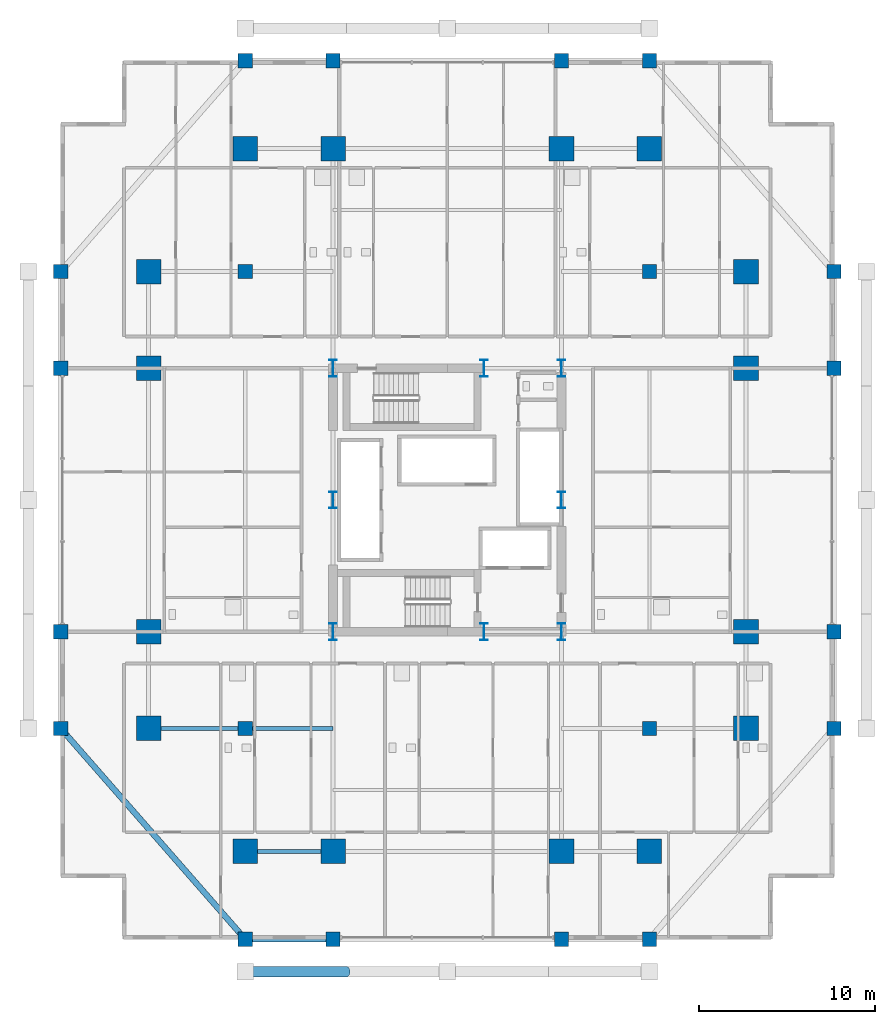
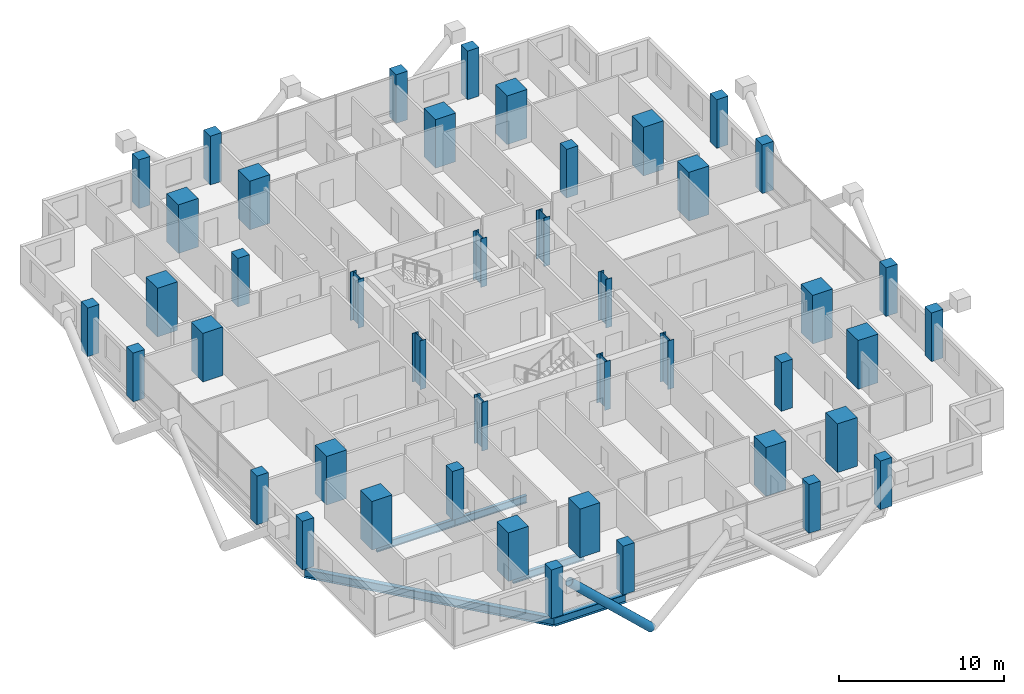
# One storey, part 1 of 24: 44 columns, 5 beams, 1 member.
"""IFC4 building model written with IfcOpenShell, lengths in metres."""

from ifc_helpers import new_model, si_unit, direction, frame, origin, origin_2d, place, context, subcontext, project, spatial, rectangle, hollow_circle, i_section, extrude, material, material_profile, profile_set, type_object, element, save


model = new_model("IFC4")

# Units and contexts
model_context = context("Model", 3, precision=1e-05, world=origin(), true_north=direction((0.0, 1.0)))
body_context = subcontext(model_context, "Body", "Model", "MODEL_VIEW")
ifc_project = project(units=[si_unit("LENGTHUNIT", "METRE"), si_unit("AREAUNIT", "SQUARE_METRE"), si_unit("VOLUMEUNIT", "CUBIC_METRE"), si_unit("PLANEANGLEUNIT", "RADIAN"), si_unit("MASSUNIT", "GRAM", prefix="KILO")], contexts=[model_context])

# Site, building, storey
site_placement = place(None, origin())
site = spatial("IfcSite", under=ifc_project, at=site_placement, CompositionType="ELEMENT")
building_placement = place(site_placement, origin())
building = spatial("IfcBuilding", under=site, at=building_placement, Name="Barlavira Tower and Art Museum", CompositionType="ELEMENT")
storey_placement = place(building_placement, frame((0.0, 0.0, 46.800048828125)))
storey = spatial("IfcBuildingStorey", under=building, at=storey_placement, Name="L10", CompositionType="ELEMENT", Elevation=46.800048828125)

# Columns
ifc_material_1 = material(Name="Steel S355", Category="steel")
ifc_material_profile_1 = material_profile(ifc_material_1, i_section(OverallWidth=0.419921875, OverallDepth=0.9599609375, WebThickness=0.02197265625, FlangeThickness=0.033935546875, at=origin_2d()), Name="W920x387.0")
ifc_profile_set_1 = profile_set([ifc_material_profile_1], Name="Steel S355")
column_type_1 = type_object("IfcColumnType", Name="Core Composite Column W920x387 Steel S355", PredefinedType="COLUMN", material=ifc_profile_set_1)
for number, where, z_axis, x_axis, name in (
    (1, (-6.5, -7.5, 0.0), (0.0, 0.0, 1.0), (1.0, 0.0, 0.0), "L10 Column CC-L10-C1"),
    (2, (2.080078125, -7.5, 0.0), (0.0, 0.0, 1.0), (1.0, 0.0, 0.0), "L10 Column CC-L10-C2"),
    (3, (6.5, -7.5, 0.0), (0.0, 0.0, 1.0), (1.0, 0.0, 0.0), "L10 Column CC-L10-C3"),
    (4, (-6.5, 0.0, 0.0), (0.0, 0.0, 1.0), (1.0, 0.0, 0.0), "L10 Column CC-L10-C4"),
    (5, (6.5, 0.0, 0.0), (0.0, 0.0, 1.0), (1.0, 0.0, 0.0), "L10 Column CC-L10-C5"),
    (6, (-6.5, 7.5, 0.0), (0.0, 0.0, 1.0), (1.0, 0.0, 0.0), "L10 Column CC-L10-C6"),
    (7, (2.080078125, 7.5, 0.0), (0.0, 0.0, 1.0), (1.0, 0.0, 0.0), "L10 Column CC-L10-C7"),
    (8, (6.5, 7.5, 0.0), (0.0, 0.0, 1.0), (1.0, 0.0, 0.0), "L10 Column CC-L10-C8"),
):
    element("IfcColumn", number, at=place(storey_placement, frame(where, z_axis=z_axis, x_axis=x_axis)), inside=storey, type_object=column_type_1, Name=name, PredefinedType="COLUMN", context=body_context, shape_type="SweptSolid", body=[
        extrude(i_section(OverallWidth=0.419921875, OverallDepth=0.9599609375, WebThickness=0.02197265625, FlangeThickness=0.033935546875, at=origin_2d()), origin(), (0.0, 0.0, 1.0), 3.599853515625),
    ])
ifc_material_2 = material(Name="Concrete C60", Category="concrete")
ifc_material_profile_2 = material_profile(ifc_material_2, rectangle(XDim=1.39990234375, YDim=1.39990234375, at=origin_2d()), Name="RC-MCOL 1400x1400")
ifc_profile_set_2 = profile_set([ifc_material_profile_2], Name="Concrete C60")
column_type_2 = type_object("IfcColumnType", Name="Perimeter Mega Column 1400x1400 Concrete C60", PredefinedType="USERDEFINED", material=ifc_profile_set_2)
for number, where, z_axis, x_axis, name in (
    (9, (-11.5, -20.0, 0.0), (0.0, 0.0, 1.0), (1.0, 0.0, 0.0), "L10 Column MC-L10-M01"),
    (10, (-6.5, -20.0, 0.0), (0.0, 0.0, 1.0), (1.0, 0.0, 0.0), "L10 Column MC-L10-M02"),
    (11, (6.5, -20.0, 0.0), (0.0, 0.0, 1.0), (1.0, 0.0, 0.0), "L10 Column MC-L10-M03"),
    (12, (11.5, -20.0, 0.0), (0.0, 0.0, 1.0), (1.0, 0.0, 0.0), "L10 Column MC-L10-M04"),
    (13, (17.0, -13.0, 0.0), (0.0, 0.0, 1.0), (1.0, 0.0, 0.0), "L10 Column MC-L10-M05"),
    (14, (17.0, -7.5, 0.0), (0.0, 0.0, 1.0), (1.0, 0.0, 0.0), "L10 Column MC-L10-M06"),
    (15, (17.0, 7.5, 0.0), (0.0, 0.0, 1.0), (1.0, 0.0, 0.0), "L10 Column MC-L10-M07"),
    (16, (17.0, 13.0, 0.0), (0.0, 0.0, 1.0), (1.0, 0.0, 0.0), "L10 Column MC-L10-M08"),
    (17, (11.5, 20.0, 0.0), (0.0, 0.0, 1.0), (1.0, 0.0, 0.0), "L10 Column MC-L10-M09"),
    (18, (6.5, 20.0, 0.0), (0.0, 0.0, 1.0), (1.0, 0.0, 0.0), "L10 Column MC-L10-M10"),
    (19, (-6.5, 20.0, 0.0), (0.0, 0.0, 1.0), (1.0, 0.0, 0.0), "L10 Column MC-L10-M11"),
    (20, (-11.5, 20.0, 0.0), (0.0, 0.0, 1.0), (1.0, 0.0, 0.0), "L10 Column MC-L10-M12"),
    (21, (-17.0, 13.0, 0.0), (0.0, 0.0, 1.0), (1.0, 0.0, 0.0), "L10 Column MC-L10-M13"),
    (22, (-17.0, 7.5, 0.0), (0.0, 0.0, 1.0), (1.0, 0.0, 0.0), "L10 Column MC-L10-M14"),
    (23, (-17.0, -7.5, 0.0), (0.0, 0.0, 1.0), (1.0, 0.0, 0.0), "L10 Column MC-L10-M15"),
    (24, (-17.0, -13.0, 0.0), (0.0, 0.0, 1.0), (1.0, 0.0, 0.0), "L10 Column MC-L10-M16"),
):
    element("IfcColumn", number, at=place(storey_placement, frame(where, z_axis=z_axis, x_axis=x_axis)), inside=storey, type_object=column_type_2, Name=name, ObjectType="MEGA COLUMN", PredefinedType="USERDEFINED", context=body_context, shape_type="SweptSolid", body=[
        extrude(rectangle(XDim=1.39990234375, YDim=1.39990234375, at=origin_2d()), origin(), (0.0, 0.0, 1.0), 3.599853515625),
    ])
ifc_material_3 = material(Name="Concrete C50", Category="concrete")
ifc_material_profile_3 = material_profile(ifc_material_3, rectangle(XDim=0.800048828125, YDim=0.800048828125, at=origin_2d()), Name="RC-COL 800x800")
ifc_profile_set_3 = profile_set([ifc_material_profile_3], Name="Concrete C50")
column_type_3 = type_object("IfcColumnType", Name="Podium Frame Column 800x800 Concrete C50", PredefinedType="COLUMN", material=ifc_profile_set_3)
for number, where, z_axis, x_axis, name in (
    (25, (-11.5, -13.0, 0.0), (0.0, 0.0, 1.0), (1.0, 0.0, 0.0), "L10 Column CI-L10-I1"),
    (26, (11.5, -13.0, 0.0), (0.0, 0.0, 1.0), (1.0, 0.0, 0.0), "L10 Column CI-L10-I2"),
    (27, (-11.5, 13.0, 0.0), (0.0, 0.0, 1.0), (1.0, 0.0, 0.0), "L10 Column CI-L10-I3"),
    (28, (11.5, 13.0, 0.0), (0.0, 0.0, 1.0), (1.0, 0.0, 0.0), "L10 Column CI-L10-I4"),
    (29, (-11.5, -25.0, 0.0), (0.0, 0.0, 1.0), (1.0, 0.0, 0.0), "L10 Column CZ1-L10-N01"),
    (30, (-6.5, -25.0, 0.0), (0.0, 0.0, 1.0), (1.0, 0.0, 0.0), "L10 Column CZ1-L10-N02"),
    (31, (6.5, -25.0, 0.0), (0.0, 0.0, 1.0), (1.0, 0.0, 0.0), "L10 Column CZ1-L10-N02B"),
    (32, (11.5, -25.0, 0.0), (0.0, 0.0, 1.0), (1.0, 0.0, 0.0), "L10 Column CZ1-L10-N03"),
    (33, (-22.0, -13.0, 0.0), (0.0, 0.0, 1.0), (1.0, 0.0, 0.0), "L10 Column CZ1-L10-N04"),
    (34, (-22.0, -7.5, 0.0), (0.0, 0.0, 1.0), (1.0, 0.0, 0.0), "L10 Column CZ1-L10-N05"),
    (35, (-22.0, 7.5, 0.0), (0.0, 0.0, 1.0), (1.0, 0.0, 0.0), "L10 Column CZ1-L10-N05B"),
    (36, (-22.0, 13.0, 0.0), (0.0, 0.0, 1.0), (1.0, 0.0, 0.0), "L10 Column CZ1-L10-N06"),
    (37, (-11.5, 25.0, 0.0), (0.0, 0.0, 1.0), (1.0, 0.0, 0.0), "L10 Column CZ1-L10-N07"),
    (38, (-6.5, 25.0, 0.0), (0.0, 0.0, 1.0), (1.0, 0.0, 0.0), "L10 Column CZ1-L10-N08"),
    (39, (6.5, 25.0, 0.0), (0.0, 0.0, 1.0), (1.0, 0.0, 0.0), "L10 Column CZ1-L10-N08B"),
    (40, (11.5, 25.0, 0.0), (0.0, 0.0, 1.0), (1.0, 0.0, 0.0), "L10 Column CZ1-L10-N09"),
    (41, (22.0, -13.0, 0.0), (0.0, 0.0, 1.0), (1.0, 0.0, 0.0), "L10 Column CZ1-L10-N10"),
    (42, (22.0, -7.5, 0.0), (0.0, 0.0, 1.0), (1.0, 0.0, 0.0), "L10 Column CZ1-L10-N11"),
    (43, (22.0, 7.5, 0.0), (0.0, 0.0, 1.0), (1.0, 0.0, 0.0), "L10 Column CZ1-L10-N11B"),
    (44, (22.0, 13.0, 0.0), (0.0, 0.0, 1.0), (1.0, 0.0, 0.0), "L10 Column CZ1-L10-N12"),
):
    element("IfcColumn", number, at=place(storey_placement, frame(where, z_axis=z_axis, x_axis=x_axis)), inside=storey, type_object=column_type_3, Name=name, PredefinedType="COLUMN", context=body_context, shape_type="SweptSolid", body=[
        extrude(rectangle(XDim=0.800048828125, YDim=0.800048828125, at=origin_2d()), origin(), (0.0, 0.0, 1.0), 3.599853515625),
    ])

# Member
ifc_material_profile_4 = material_profile(ifc_material_1, hollow_circle(Radius=0.304931640625, WallThickness=0.028076171875, at=origin_2d()), Name="CHS 610.0x28.0")
ifc_profile_set_4 = profile_set([ifc_material_profile_4], Name="Steel S355")
member_type = type_object("IfcMemberType", Name="Pale-Metal Exoskeleton Diagrid Tube CHS 610x28 Steel S355", PredefinedType="BRACE", material=ifc_profile_set_4)
member_placement = place(storey_placement, frame((-5.75, -26.85009765625, -1.920166015625), z_axis=(-0.728934650808, 0.0, 0.684583285548), x_axis=(0.0, -1.0, 0.0)))
element("IfcMember", 45, at=member_placement, inside=storey, type_object=member_type, Name="L10 Exoskeleton Diagrid Tube S", PredefinedType="BRACE", context=body_context, shape_type="SweptSolid", body=[
    extrude(hollow_circle(Radius=0.304931640625, WallThickness=0.028076171875, at=origin_2d()), origin(), (0.0, 0.0, 1.0), 7.88818359375),
])

# Beams
ifc_material_profile_5 = material_profile(ifc_material_1, i_section(OverallWidth=0.327880859375, OverallDepth=0.62890625, WebThickness=0.013916015625, FlangeThickness=0.021484375, at=origin_2d()), Name="W610x174.0")
ifc_profile_set_5 = profile_set([ifc_material_profile_5], Name="Steel S355")
beam_type_1 = type_object("IfcBeamType", Name="Perimeter Spandrel Edge Beam W610x174 Steel S355", PredefinedType="SPANDREL", material=ifc_profile_set_5)
beam_1_placement = place(storey_placement, frame((-11.5, -25.0, -0.53466796875), z_axis=(1.0, 0.0, 0.0), x_axis=(0.0, 1.0, 0.0)))
element("IfcBeam", 46, at=beam_1_placement, inside=storey, type_object=beam_type_1, Name="L10 Spandrel 1", PredefinedType="SPANDREL", context=body_context, shape_type="SweptSolid", body=[
    extrude(i_section(OverallWidth=0.327880859375, OverallDepth=0.62890625, WebThickness=0.013916015625, FlangeThickness=0.021484375, at=origin_2d()), origin(), (0.0, 0.0, 1.0), 5.0),
])
beam_2_placement = place(storey_placement, frame((-22.0, -13.0, -0.53466796875), z_axis=(0.658504607869, -0.752576694707, 0.0), x_axis=(0.752576694707, 0.658504607869, 0.0)))
element("IfcBeam", 47, at=beam_2_placement, inside=storey, type_object=beam_type_1, Name="L10 Spandrel 16", PredefinedType="SPANDREL", context=body_context, shape_type="SweptSolid", body=[
    extrude(i_section(OverallWidth=0.327880859375, OverallDepth=0.62890625, WebThickness=0.013916015625, FlangeThickness=0.021484375, at=origin_2d()), origin(), (0.0, 0.0, 1.0), 15.9453125),
])
ifc_material_profile_6 = material_profile(ifc_material_1, i_section(OverallWidth=0.214111328125, OverallDepth=0.549072265625, WebThickness=0.0146484375, FlangeThickness=0.023681640625, at=origin_2d()), Name="W530x138.0")
ifc_profile_set_6 = profile_set([ifc_material_profile_6], Name="Steel S355")
beam_type_2 = type_object("IfcBeamType", Name="Zone 1 Primary Floor Girder W530x138 Steel S355", PredefinedType="BEAM", material=ifc_profile_set_6)
beam_3_placement = place(storey_placement, frame((-11.5, -20.0, -0.49462890625), z_axis=(1.0, 0.0, 0.0), x_axis=(0.0, 1.0, 0.0)))
element("IfcBeam", 48, at=beam_3_placement, inside=storey, type_object=beam_type_2, Name="L10 Girder M-S1", PredefinedType="BEAM", context=body_context, shape_type="SweptSolid", body=[
    extrude(i_section(OverallWidth=0.214111328125, OverallDepth=0.549072265625, WebThickness=0.0146484375, FlangeThickness=0.023681640625, at=origin_2d()), origin(), (0.0, 0.0, 1.0), 5.0),
])
beam_4_placement = place(storey_placement, frame((-17.0, -13.0, -0.49462890625), z_axis=(1.0, 0.0, 0.0), x_axis=(0.0, 1.0, 0.0)))
element("IfcBeam", 49, at=beam_4_placement, inside=storey, type_object=beam_type_2, Name="L10 Girder I-S1", PredefinedType="BEAM", context=body_context, shape_type="SweptSolid", body=[
    extrude(i_section(OverallWidth=0.214111328125, OverallDepth=0.549072265625, WebThickness=0.0146484375, FlangeThickness=0.023681640625, at=origin_2d()), origin(), (0.0, 0.0, 1.0), 5.5),
])
beam_5_placement = place(storey_placement, frame((-11.5, -13.0, -0.49462890625), z_axis=(1.0, 0.0, 0.0), x_axis=(0.0, 1.0, 0.0)))
element("IfcBeam", 50, at=beam_5_placement, inside=storey, type_object=beam_type_2, Name="L10 Girder I-S2", PredefinedType="BEAM", context=body_context, shape_type="SweptSolid", body=[
    extrude(i_section(OverallWidth=0.214111328125, OverallDepth=0.549072265625, WebThickness=0.0146484375, FlangeThickness=0.023681640625, at=origin_2d()), origin(), (0.0, 0.0, 1.0), 5.0),
])

save(model, "model.ifc")
